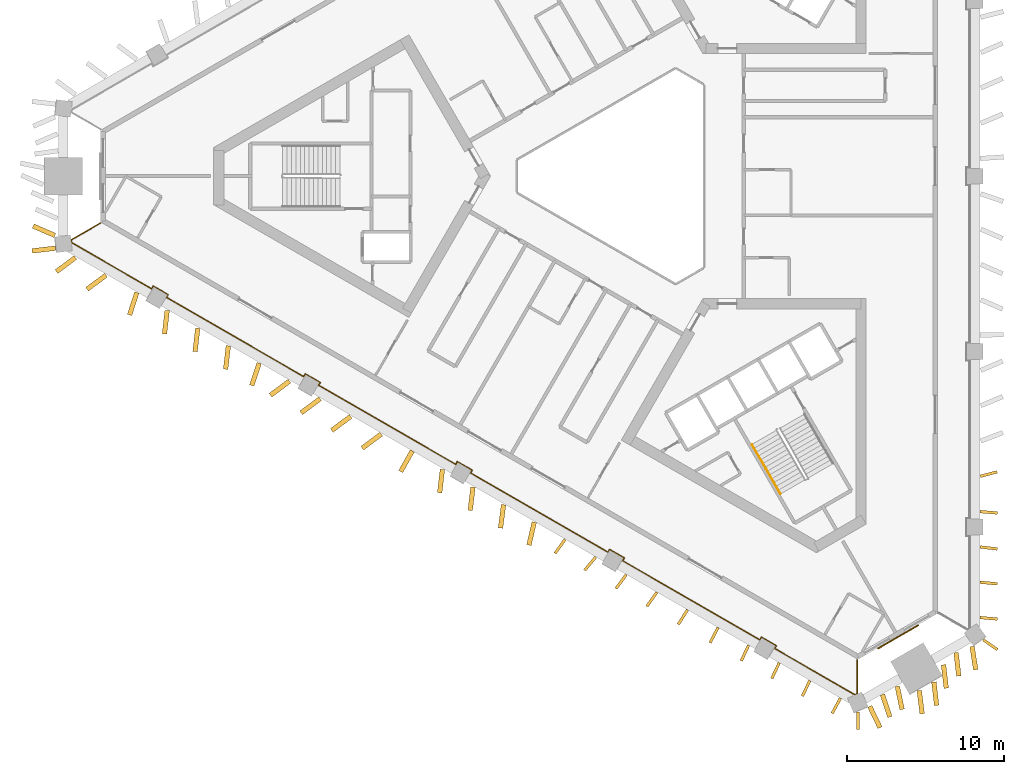
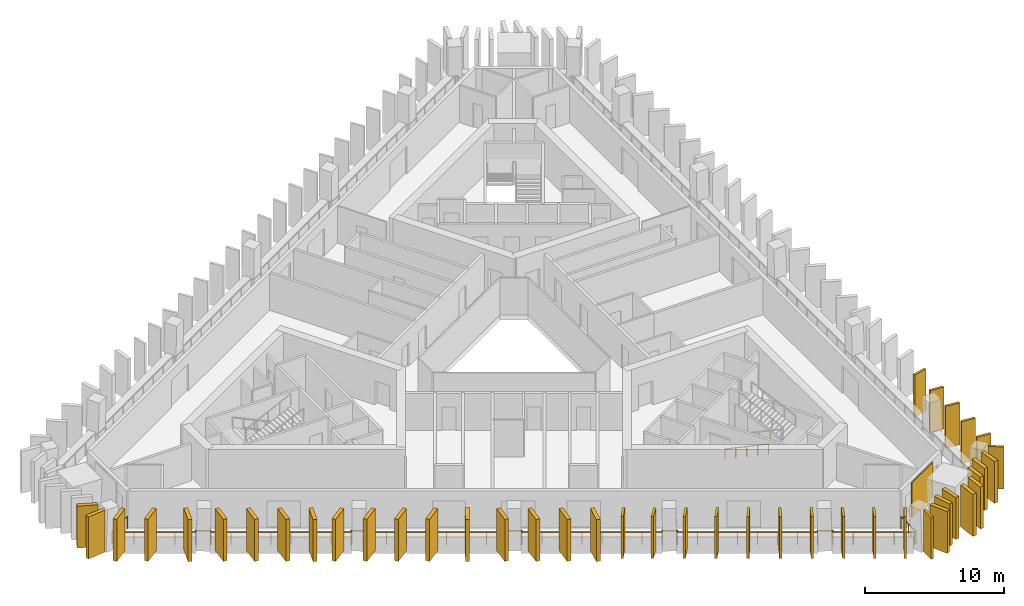
# One storey, part 7 of 10: 43 shading devices, 2 railings, 1 covering.
"""IFC4 building model written with IfcOpenShell, lengths in metres."""

from ifc_helpers import new_model, si_unit, direction, frame, frame_2d, origin, origin_2d, place, context, subcontext, project, spatial, rectangle, circle, extrude, material, layer, layer_set, type_object, element, save


model = new_model("IFC4")

# Units and contexts
model_context = context("Model", 3, precision=1e-05, world=origin(), true_north=direction((0.0, 1.0)))
body_context = subcontext(model_context, "Body", "Model", "MODEL_VIEW")
ifc_project = project(units=[si_unit("LENGTHUNIT", "METRE"), si_unit("AREAUNIT", "SQUARE_METRE"), si_unit("VOLUMEUNIT", "CUBIC_METRE"), si_unit("PLANEANGLEUNIT", "RADIAN"), si_unit("MASSUNIT", "GRAM", prefix="KILO")], contexts=[model_context])

# Site, building, storey
site_placement = place(None, origin())
site = spatial("IfcSite", under=ifc_project, at=site_placement, CompositionType="ELEMENT")
building_placement = place(site_placement, origin())
building = spatial("IfcBuilding", under=site, at=building_placement, Name="Jabali Bay Hotel Tower and Convention Centre", CompositionType="ELEMENT")
storey_placement = place(building_placement, frame((0.0, 0.0, 140.10009765625)))
storey = spatial("IfcBuildingStorey", under=building, at=storey_placement, Name="L34", CompositionType="ELEMENT", Elevation=140.10009765625)

# Railing
ifc_material_1 = material(Name="Glass", Category="glass")
railing_type_1 = type_object("IfcRailingType", Name="Loggia glass guard 1100", PredefinedType="BALUSTRADE", material=ifc_material_1)
railing_1_placement = place(storey_placement, frame((89.315185546875, 49.244873046875, 0.0)))
element("IfcRailing", 1, at=railing_1_placement, inside=storey, type_object=railing_type_1, Name="Loggia glass guard L34", PredefinedType="BALUSTRADE", context=body_context, shape_type="SweptSolid", body=[
    extrude(circle(Radius=0.02490234375, at=origin_2d()), frame((0.0, 0.0, 1.0751953125), z_axis=(0.0, -1.0, 0.0), x_axis=(0.991444861374, 0.0, 0.13052619222)), (0.0, 0.0, 1.0), 2.16552734375),
    extrude(circle(Radius=0.02490234375, at=origin_2d()), frame((0.0, -2.16552734375, 1.0751953125), z_axis=(-0.919226147347, -0.393729970962, 0.0), x_axis=(0.39036155648, -0.911362040227, 0.13052619222)), (0.0, 0.0, 1.0), 0.155517578125),
    extrude(circle(Radius=0.02490234375, at=origin_2d()), frame((-0.14306640625, -2.226806640625, 1.0751953125), z_axis=(-0.866035612436, 0.49998231768, 0.0), x_axis=(-0.495704899641, -0.858626557717, 0.13052619222)), (0.0, 0.0, 1.0), 5.882568359375),
    extrude(circle(Radius=0.02490234375, at=origin_2d()), frame((-5.237548828125, 0.71435546875, 1.0751953125), z_axis=(0.499158860599, 0.866510491504, 0.0), x_axis=(-0.859097374128, 0.49488848735, 0.13052619222)), (0.0, 0.0, 1.0), 0.199951171875),
    extrude(circle(Radius=0.02490234375, at=origin_2d()), frame((-5.1376953125, 0.8876953125, 1.0751953125), z_axis=(-0.866008176907, 0.50002983664, 0.0), x_axis=(-0.495752012071, -0.858599356902, 0.13052619222)), (0.0, 0.0, 1.0), 1.10009765625),
    extrude(circle(Radius=0.02490234375, at=origin_2d()), frame((-6.09033203125, 1.437744140625, 1.0751953125), z_axis=(-0.499158860599, -0.866510491504, 0.0), x_axis=(0.859097374128, -0.49488848735, 0.13052619222)), (0.0, 0.0, 1.0), 0.199951171875),
    extrude(circle(Radius=0.02490234375, at=origin_2d()), frame((-6.190185546875, 1.264404296875, 1.0751953125), z_axis=(-0.866024024936, 0.500002388228, 0.0), x_axis=(-0.495724798483, -0.858615069349, 0.13052619222)), (0.0, 0.0, 1.0), 10.06591796875),
    extrude(circle(Radius=0.02490234375, at=origin_2d()), frame((-14.907470703125, 6.29736328125, 1.0751953125), z_axis=(0.499158860599, 0.866510491504, 0.0), x_axis=(-0.859097374128, 0.49488848735, 0.13052619222)), (0.0, 0.0, 1.0), 0.199951171875),
    extrude(circle(Radius=0.02490234375, at=origin_2d()), frame((-14.8076171875, 6.470703125, 1.0751953125), z_axis=(-0.866104278045, 0.499863360881, 0.0), x_axis=(-0.495586960535, -0.858694635882, 0.13052619222)), (0.0, 0.0, 1.0), 1.099853515625),
    extrude(circle(Radius=0.02490234375, at=origin_2d()), frame((-15.76025390625, 7.0205078125, 1.0751953125), z_axis=(-0.499687197852, -0.866205924883, 0.0), x_axis=(0.858795413117, -0.495412304605, 0.13052619222)), (0.0, 0.0, 1.0), 0.199951171875),
    extrude(circle(Radius=0.02490234375, at=origin_2d()), frame((-15.860107421875, 6.847412109375, 1.0751953125), z_axis=(-0.866024024936, 0.500002388228, 0.0), x_axis=(-0.495724798483, -0.858615069349, 0.13052619222)), (0.0, 0.0, 1.0), 10.06591796875),
    extrude(circle(Radius=0.02490234375, at=origin_2d()), frame((-24.577392578125, 11.88037109375, 1.0751953125), z_axis=(0.499687197852, 0.866205924883, 0.0), x_axis=(-0.858795413117, 0.495412304605, 0.13052619222)), (0.0, 0.0, 1.0), 0.199951171875),
    extrude(circle(Radius=0.02490234375, at=origin_2d()), frame((-24.4775390625, 12.053466796875, 1.0751953125), z_axis=(-0.866008176907, 0.50002983664, 0.0), x_axis=(-0.495752012071, -0.858599356902, 0.13052619222)), (0.0, 0.0, 1.0), 1.10009765625),
    extrude(circle(Radius=0.02490234375, at=origin_2d()), frame((-25.43017578125, 12.603515625, 1.0751953125), z_axis=(-0.499687197852, -0.866205924883, 0.0), x_axis=(0.858795413117, -0.495412304605, 0.13052619222)), (0.0, 0.0, 1.0), 0.199951171875),
    extrude(circle(Radius=0.02490234375, at=origin_2d()), frame((-25.530029296875, 12.430419921875, 1.0751953125), z_axis=(-0.866024024936, 0.500002388228, 0.0), x_axis=(-0.495724798483, -0.858615069349, 0.13052619222)), (0.0, 0.0, 1.0), 10.06591796875),
    extrude(circle(Radius=0.02490234375, at=origin_2d()), frame((-34.247314453125, 17.46337890625, 1.0751953125), z_axis=(0.499687197852, 0.866205924883, 0.0), x_axis=(-0.858795413117, 0.495412304605, 0.13052619222)), (0.0, 0.0, 1.0), 0.199951171875),
    extrude(circle(Radius=0.02490234375, at=origin_2d()), frame((-34.1474609375, 17.636474609375, 1.0751953125), z_axis=(-0.866008176907, 0.50002983664, 0.0), x_axis=(-0.495752012071, -0.858599356902, 0.13052619222)), (0.0, 0.0, 1.0), 1.10009765625),
    extrude(circle(Radius=0.02490234375, at=origin_2d()), frame((-35.10009765625, 18.1865234375, 1.0751953125), z_axis=(-0.499158860599, -0.866510491504, 0.0), x_axis=(0.859097374128, -0.49488848735, 0.13052619222)), (0.0, 0.0, 1.0), 0.199951171875),
    extrude(circle(Radius=0.02490234375, at=origin_2d()), frame((-35.199951171875, 18.01318359375, 1.0751953125), z_axis=(-0.866024024936, 0.500002388228, 0.0), x_axis=(-0.495724798483, -0.858615069349, 0.13052619222)), (0.0, 0.0, 1.0), 10.06591796875),
    extrude(circle(Radius=0.02490234375, at=origin_2d()), frame((-43.917236328125, 23.046142578125, 1.0751953125), z_axis=(0.499158860599, 0.866510491504, 0.0), x_axis=(-0.859097374128, 0.49488848735, 0.13052619222)), (0.0, 0.0, 1.0), 0.199951171875),
    extrude(circle(Radius=0.02490234375, at=origin_2d()), frame((-43.8173828125, 23.219482421875, 1.0751953125), z_axis=(-0.866104278045, 0.499863360881, 0.0), x_axis=(-0.495586960535, -0.858694635882, 0.13052619222)), (0.0, 0.0, 1.0), 1.099853515625),
    extrude(circle(Radius=0.02490234375, at=origin_2d()), frame((-44.77001953125, 23.769287109375, 1.0751953125), z_axis=(-0.499687197852, -0.866205924883, 0.0), x_axis=(0.858795413117, -0.495412304605, 0.13052619222)), (0.0, 0.0, 1.0), 0.199951171875),
    extrude(circle(Radius=0.02490234375, at=origin_2d()), frame((-44.869873046875, 23.59619140625, 1.0751953125), z_axis=(-0.866017641503, 0.500013444425, 0.0), x_axis=(-0.495735760093, -0.858608740527, 0.13052619222)), (0.0, 0.0, 1.0), 5.882568359375),
    extrude(circle(Radius=0.02490234375, at=origin_2d()), frame((-49.96435546875, 26.53759765625, 1.0751953125), z_axis=(-0.119207070312, 0.99286941457, 0.0), x_axis=(-0.98437527909, -0.1181872373, 0.13052619222)), (0.0, 0.0, 1.0), 0.15576171875),
    extrude(circle(Radius=0.02490234375, at=origin_2d()), frame((-49.98291015625, 26.692138671875, 1.0751953125), z_axis=(0.866007213464, 0.500031505235, 0.0), x_axis=(-0.495753666391, 0.858598401702, 0.13052619222)), (0.0, 0.0, 1.0), 2.165283203125),
    extrude(circle(Radius=0.02001953125, at=origin_2d()), origin(), (0.0, 0.0, 1.0), 1.050048828125),
    extrude(circle(Radius=0.02001953125, at=origin_2d()), frame((0.0, -1.082763671875, 0.0)), (0.0, 0.0, 1.0), 1.050048828125),
    extrude(circle(Radius=0.02001953125, at=origin_2d()), frame((0.0, -2.16552734375, 0.0)), (0.0, 0.0, 1.0), 1.050048828125),
    extrude(circle(Radius=0.02001953125, at=origin_2d()), frame((-0.14306640625, -2.226806640625, 0.0)), (0.0, 0.0, 1.0), 1.050048828125),
    extrude(circle(Radius=0.02001953125, at=origin_2d()), frame((-1.416748046875, -1.491455078125, 0.0)), (0.0, 0.0, 1.0), 1.050048828125),
    extrude(circle(Radius=0.02001953125, at=origin_2d()), frame((-2.6904296875, -0.75634765625, 0.0)), (0.0, 0.0, 1.0), 1.050048828125),
    extrude(circle(Radius=0.02001953125, at=origin_2d()), frame((-3.9638671875, -0.02099609375, 0.0)), (0.0, 0.0, 1.0), 1.050048828125),
    extrude(circle(Radius=0.02001953125, at=origin_2d()), frame((-5.237548828125, 0.71435546875, 0.0)), (0.0, 0.0, 1.0), 1.050048828125),
    extrude(circle(Radius=0.02001953125, at=origin_2d()), frame((-5.1376953125, 0.8876953125, 0.0)), (0.0, 0.0, 1.0), 1.050048828125),
    extrude(circle(Radius=0.02001953125, at=origin_2d()), frame((-6.09033203125, 1.437744140625, 0.0)), (0.0, 0.0, 1.0), 1.050048828125),
    extrude(circle(Radius=0.02001953125, at=origin_2d()), frame((-6.190185546875, 1.264404296875, 0.0)), (0.0, 0.0, 1.0), 1.050048828125),
    extrude(circle(Radius=0.02001953125, at=origin_2d()), frame((-7.435546875, 1.9833984375, 0.0)), (0.0, 0.0, 1.0), 1.050048828125),
    extrude(circle(Radius=0.02001953125, at=origin_2d()), frame((-8.680908203125, 2.702392578125, 0.0)), (0.0, 0.0, 1.0), 1.050048828125),
    extrude(circle(Radius=0.02001953125, at=origin_2d()), frame((-9.92626953125, 3.42138671875, 0.0)), (0.0, 0.0, 1.0), 1.050048828125),
    extrude(circle(Radius=0.02001953125, at=origin_2d()), frame((-11.17138671875, 4.140380859375, 0.0)), (0.0, 0.0, 1.0), 1.050048828125),
    extrude(circle(Radius=0.02001953125, at=origin_2d()), frame((-12.416748046875, 4.859375, 0.0)), (0.0, 0.0, 1.0), 1.050048828125),
    extrude(circle(Radius=0.02001953125, at=origin_2d()), frame((-13.662109375, 5.578369140625, 0.0)), (0.0, 0.0, 1.0), 1.050048828125),
    extrude(circle(Radius=0.02001953125, at=origin_2d()), frame((-14.907470703125, 6.29736328125, 0.0)), (0.0, 0.0, 1.0), 1.050048828125),
    extrude(circle(Radius=0.02001953125, at=origin_2d()), frame((-14.8076171875, 6.470703125, 0.0)), (0.0, 0.0, 1.0), 1.050048828125),
    extrude(circle(Radius=0.02001953125, at=origin_2d()), frame((-15.76025390625, 7.0205078125, 0.0)), (0.0, 0.0, 1.0), 1.050048828125),
    extrude(circle(Radius=0.02001953125, at=origin_2d()), frame((-15.860107421875, 6.847412109375, 0.0)), (0.0, 0.0, 1.0), 1.050048828125),
    extrude(circle(Radius=0.02001953125, at=origin_2d()), frame((-17.10546875, 7.56640625, 0.0)), (0.0, 0.0, 1.0), 1.050048828125),
    extrude(circle(Radius=0.02001953125, at=origin_2d()), frame((-18.350830078125, 8.285400390625, 0.0)), (0.0, 0.0, 1.0), 1.050048828125),
    extrude(circle(Radius=0.02001953125, at=origin_2d()), frame((-19.59619140625, 9.00439453125, 0.0)), (0.0, 0.0, 1.0), 1.050048828125),
    extrude(circle(Radius=0.02001953125, at=origin_2d()), frame((-20.84130859375, 9.723388671875, 0.0)), (0.0, 0.0, 1.0), 1.050048828125),
    extrude(circle(Radius=0.02001953125, at=origin_2d()), frame((-22.086669921875, 10.4423828125, 0.0)), (0.0, 0.0, 1.0), 1.050048828125),
    extrude(circle(Radius=0.02001953125, at=origin_2d()), frame((-23.33203125, 11.161376953125, 0.0)), (0.0, 0.0, 1.0), 1.050048828125),
    extrude(circle(Radius=0.02001953125, at=origin_2d()), frame((-24.577392578125, 11.88037109375, 0.0)), (0.0, 0.0, 1.0), 1.050048828125),
    extrude(circle(Radius=0.02001953125, at=origin_2d()), frame((-24.4775390625, 12.053466796875, 0.0)), (0.0, 0.0, 1.0), 1.050048828125),
    extrude(circle(Radius=0.02001953125, at=origin_2d()), frame((-25.43017578125, 12.603515625, 0.0)), (0.0, 0.0, 1.0), 1.050048828125),
    extrude(circle(Radius=0.02001953125, at=origin_2d()), frame((-25.530029296875, 12.430419921875, 0.0)), (0.0, 0.0, 1.0), 1.050048828125),
    extrude(circle(Radius=0.02001953125, at=origin_2d()), frame((-26.775390625, 13.1494140625, 0.0)), (0.0, 0.0, 1.0), 1.050048828125),
    extrude(circle(Radius=0.02001953125, at=origin_2d()), frame((-28.020751953125, 13.868408203125, 0.0)), (0.0, 0.0, 1.0), 1.050048828125),
    extrude(circle(Radius=0.02001953125, at=origin_2d()), frame((-29.26611328125, 14.58740234375, 0.0)), (0.0, 0.0, 1.0), 1.050048828125),
    extrude(circle(Radius=0.02001953125, at=origin_2d()), frame((-30.51123046875, 15.306396484375, 0.0)), (0.0, 0.0, 1.0), 1.050048828125),
    extrude(circle(Radius=0.02001953125, at=origin_2d()), frame((-31.756591796875, 16.025390625, 0.0)), (0.0, 0.0, 1.0), 1.050048828125),
    extrude(circle(Radius=0.02001953125, at=origin_2d()), frame((-33.001953125, 16.744384765625, 0.0)), (0.0, 0.0, 1.0), 1.050048828125),
    extrude(circle(Radius=0.02001953125, at=origin_2d()), frame((-34.247314453125, 17.46337890625, 0.0)), (0.0, 0.0, 1.0), 1.050048828125),
    extrude(circle(Radius=0.02001953125, at=origin_2d()), frame((-34.1474609375, 17.636474609375, 0.0)), (0.0, 0.0, 1.0), 1.050048828125),
    extrude(circle(Radius=0.02001953125, at=origin_2d()), frame((-35.10009765625, 18.1865234375, 0.0)), (0.0, 0.0, 1.0), 1.050048828125),
    extrude(circle(Radius=0.02001953125, at=origin_2d()), frame((-35.199951171875, 18.01318359375, 0.0)), (0.0, 0.0, 1.0), 1.050048828125),
    extrude(circle(Radius=0.02001953125, at=origin_2d()), frame((-36.4453125, 18.732177734375, 0.0)), (0.0, 0.0, 1.0), 1.050048828125),
    extrude(circle(Radius=0.02001953125, at=origin_2d()), frame((-37.690673828125, 19.451171875, 0.0)), (0.0, 0.0, 1.0), 1.050048828125),
    extrude(circle(Radius=0.02001953125, at=origin_2d()), frame((-38.93603515625, 20.170166015625, 0.0)), (0.0, 0.0, 1.0), 1.050048828125),
    extrude(circle(Radius=0.02001953125, at=origin_2d()), frame((-40.18115234375, 20.88916015625, 0.0)), (0.0, 0.0, 1.0), 1.050048828125),
    extrude(circle(Radius=0.02001953125, at=origin_2d()), frame((-41.426513671875, 21.608154296875, 0.0)), (0.0, 0.0, 1.0), 1.050048828125),
    extrude(circle(Radius=0.02001953125, at=origin_2d()), frame((-42.671875, 22.3271484375, 0.0)), (0.0, 0.0, 1.0), 1.050048828125),
    extrude(circle(Radius=0.02001953125, at=origin_2d()), frame((-43.917236328125, 23.046142578125, 0.0)), (0.0, 0.0, 1.0), 1.050048828125),
    extrude(circle(Radius=0.02001953125, at=origin_2d()), frame((-43.8173828125, 23.219482421875, 0.0)), (0.0, 0.0, 1.0), 1.050048828125),
    extrude(circle(Radius=0.02001953125, at=origin_2d()), frame((-44.77001953125, 23.769287109375, 0.0)), (0.0, 0.0, 1.0), 1.050048828125),
    extrude(circle(Radius=0.02001953125, at=origin_2d()), frame((-44.869873046875, 23.59619140625, 0.0)), (0.0, 0.0, 1.0), 1.050048828125),
    extrude(circle(Radius=0.02001953125, at=origin_2d()), frame((-46.1435546875, 24.33154296875, 0.0)), (0.0, 0.0, 1.0), 1.050048828125),
    extrude(circle(Radius=0.02001953125, at=origin_2d()), frame((-47.4169921875, 25.06689453125, 0.0)), (0.0, 0.0, 1.0), 1.050048828125),
    extrude(circle(Radius=0.02001953125, at=origin_2d()), frame((-48.690673828125, 25.80224609375, 0.0)), (0.0, 0.0, 1.0), 1.050048828125),
    extrude(circle(Radius=0.02001953125, at=origin_2d()), frame((-49.96435546875, 26.53759765625, 0.0)), (0.0, 0.0, 1.0), 1.050048828125),
    extrude(circle(Radius=0.02001953125, at=origin_2d()), frame((-49.98291015625, 26.692138671875, 0.0)), (0.0, 0.0, 1.0), 1.050048828125),
    extrude(circle(Radius=0.02001953125, at=origin_2d()), frame((-49.04541015625, 27.2333984375, 0.0)), (0.0, 0.0, 1.0), 1.050048828125),
    extrude(circle(Radius=0.02001953125, at=origin_2d()), frame((-48.107666015625, 27.77490234375, 0.0)), (0.0, 0.0, 1.0), 1.050048828125),
])

# Shading devices
ifc_material_2 = material(Name="Precast concrete C60", Category="concrete")
ifc_layer_1 = layer(ifc_material_2, 0.179931640625)
ifc_layer_set_1 = layer_set([ifc_layer_1], Name="Precast concrete C60")
shading_device_type_1 = type_object("IfcShadingDeviceType", Name="Precast fin 3680 x 1100", PredefinedType="USERDEFINED", material=ifc_layer_set_1)
shading_device_1_placement = place(storey_placement, frame((97.12744140625, 51.933349609375, 0.010009765625), z_axis=(0.0, 0.0, 1.0), x_axis=(0.996228086666, -0.086773263953, 0.0)))
element("IfcShadingDevice", 2, at=shading_device_1_placement, inside=storey, type_object=shading_device_type_1, Name="Fin L34 000", ObjectType="FIN", PredefinedType="USERDEFINED", context=body_context, shape_type="SweptSolid", body=[
    extrude(rectangle(XDim=1.10009765625, YDim=0.179931640625, at=frame_2d((0.550048828125, 0.0))), origin(), (0.0, 0.0, 1.0), 3.679931640625),
])
shading_device_2_placement = place(storey_placement, frame((97.128173828125, 54.178466796875, 0.010009765625), z_axis=(0.0, 0.0, 1.0), x_axis=(0.995519383296, -0.094557693932, 0.0)))
element("IfcShadingDevice", 3, at=shading_device_2_placement, inside=storey, type_object=shading_device_type_1, Name="Fin L34 001", ObjectType="FIN", PredefinedType="USERDEFINED", context=body_context, shape_type="SweptSolid", body=[
    extrude(rectangle(XDim=1.099853515625, YDim=0.179931640625, at=frame_2d((0.5498046875, 0.0))), origin(), (0.0, 0.0, 1.0), 3.679931640625),
])
shading_device_3_placement = place(storey_placement, frame((97.130126953125, 56.423828125, 0.010009765625), z_axis=(0.0, 0.0, 1.0), x_axis=(0.993033475838, -0.117832575569, 0.0)))
element("IfcShadingDevice", 4, at=shading_device_3_placement, inside=storey, type_object=shading_device_type_1, Name="Fin L34 002", ObjectType="FIN", PredefinedType="USERDEFINED", context=body_context, shape_type="SweptSolid", body=[
    extrude(rectangle(XDim=1.10009765625, YDim=0.179931640625, at=frame_2d((0.550048828125, 0.0))), origin(), (0.0, 0.0, 1.0), 3.679931640625),
])
shading_device_4_placement = place(storey_placement, frame((97.126953125, 58.669189453125, 0.010009765625), z_axis=(0.0, 0.0, 1.0), x_axis=(0.99678486003, -0.08012454564, 0.0)))
element("IfcShadingDevice", 5, at=shading_device_4_placement, inside=storey, type_object=shading_device_type_1, Name="Fin L34 003", ObjectType="FIN", PredefinedType="USERDEFINED", context=body_context, shape_type="SweptSolid", body=[
    extrude(rectangle(XDim=1.099853515625, YDim=0.179931640625, at=frame_2d((0.5498046875, 0.0))), origin(), (0.0, 0.0, 1.0), 3.679931640625),
])
for number, where, z_axis, x_axis, name in (
    (6, (97.142578125, 60.91455078125, 0.010009765625), (0.0, 0.0, 1.0), (0.966996870433, 0.254788250461, 0.0), "Fin L34 004"),
    (7, (70.74169921875, 56.906982421875, 0.010009765625), (0.0, 0.0, 1.0), (-0.582496950401, -0.81283288736, 0.0), "Fin L34 084"),
    (8, (72.682861328125, 55.77880859375, 0.010009765625), (0.0, 0.0, 1.0), (-0.638720670338, -0.769438694948, 0.0), "Fin L34 085"),
    (9, (74.6298828125, 54.660400390625, 0.010009765625), (0.0, 0.0, 1.0), (-0.595195706564, -0.803580780562, 0.0), "Fin L34 086"),
    (10, (76.575439453125, 53.539306640625, 0.010009765625), (0.0, 0.0, 1.0), (-0.578589872988, -0.815618635685, 0.0), "Fin L34 087"),
    (11, (78.522216796875, 52.420654296875, 0.010009765625), (0.0, 0.0, 1.0), (-0.535711866639, -0.844400850273, 0.0), "Fin L34 088"),
    (12, (80.466796875, 51.298095703125, 0.010009765625), (0.0, 0.0, 1.0), (-0.465847047958, -0.884865259748, 0.0), "Fin L34 089"),
    (13, (82.409423828125, 50.172119140625, 0.010009765625), (0.0, 0.0, 1.0), (-0.426587845489, -0.904446134427, 0.0), "Fin L34 090"),
):
    element("IfcShadingDevice", number, at=place(storey_placement, frame(where, z_axis=z_axis, x_axis=x_axis)), inside=storey, type_object=shading_device_type_1, Name=name, ObjectType="FIN", PredefinedType="USERDEFINED", context=body_context, shape_type="SweptSolid", body=[
        extrude(rectangle(XDim=1.10009765625, YDim=0.179931640625, at=frame_2d((0.550048828125, 0.0))), origin(), (0.0, 0.0, 1.0), 3.679931640625),
    ])
shading_device_5_placement = place(storey_placement, frame((84.35400390625, 49.04931640625, 0.010009765625), z_axis=(0.0, 0.0, 1.0), x_axis=(-0.427036552319, -0.904234362863, 0.0)))
element("IfcShadingDevice", 14, at=shading_device_5_placement, inside=storey, type_object=shading_device_type_1, Name="Fin L34 091", ObjectType="FIN", PredefinedType="USERDEFINED", context=body_context, shape_type="SweptSolid", body=[
    extrude(rectangle(XDim=1.099853515625, YDim=0.179931640625, at=frame_2d((0.5498046875, 0.0))), origin(), (0.0, 0.0, 1.0), 3.679931640625),
])
shading_device_6_placement = place(storey_placement, frame((86.298583984375, 47.9267578125, 0.010009765625), z_axis=(0.0, 0.0, 1.0), x_axis=(-0.427218003687, -0.904148647804, 0.0)))
element("IfcShadingDevice", 15, at=shading_device_6_placement, inside=storey, type_object=shading_device_type_1, Name="Fin L34 092", ObjectType="FIN", PredefinedType="USERDEFINED", context=body_context, shape_type="SweptSolid", body=[
    extrude(rectangle(XDim=1.10009765625, YDim=0.179931640625, at=frame_2d((0.550048828125, 0.0))), origin(), (0.0, 0.0, 1.0), 3.679931640625),
])
shading_device_7_placement = place(storey_placement, frame((88.245361328125, 46.80810546875, 0.010009765625), z_axis=(0.0, 0.0, 1.0), x_axis=(-0.473649744371, -0.880713301624, 0.0)))
element("IfcShadingDevice", 16, at=shading_device_7_placement, inside=storey, type_object=shading_device_type_1, Name="Fin L34 093", ObjectType="FIN", PredefinedType="USERDEFINED", context=body_context, shape_type="SweptSolid", body=[
    extrude(rectangle(XDim=1.099853515625, YDim=0.179931640625, at=frame_2d((0.5498046875, 0.0))), origin(), (0.0, 0.0, 1.0), 3.679931640625),
])
for number, where, z_axis, x_axis, name in (
    (17, (97.32470703125, 50.5234375, 0.010009765625), (0.0, 0.0, 1.0), (0.820470719081, -0.571688550812, 0.0), "Fin L34 102"),
    (18, (89.365234375, 45.920166015625, 0.010009765625), (0.0, 0.0, 1.0), (-0.000665778814, -0.999999778369, 0.0), "Fin L34 107"),
):
    element("IfcShadingDevice", number, at=place(storey_placement, frame(where, z_axis=z_axis, x_axis=x_axis)), inside=storey, type_object=shading_device_type_1, Name=name, ObjectType="FIN", PredefinedType="USERDEFINED", context=body_context, shape_type="SweptSolid", body=[
        extrude(rectangle(XDim=1.10009765625, YDim=0.179931640625, at=frame_2d((0.550048828125, 0.0))), origin(), (0.0, 0.0, 1.0), 3.679931640625),
    ])
ifc_layer_2 = layer(ifc_material_2, 0.300048828125)
ifc_layer_set_2 = layer_set([ifc_layer_2], Name="Precast concrete C60")
shading_device_type_2 = type_object("IfcShadingDeviceType", Name="Precast fin 3680 x 1500", PredefinedType="USERDEFINED", material=ifc_layer_set_2)
shading_device_8_placement = place(storey_placement, frame((38.296142578125, 76.230224609375, 0.010009765625), z_axis=(0.0, 0.0, 1.0), x_axis=(-0.917682260148, 0.39731507574, 0.0)))
element("IfcShadingDevice", 19, at=shading_device_8_placement, inside=storey, type_object=shading_device_type_2, Name="Fin L34 067", ObjectType="FIN", PredefinedType="USERDEFINED", context=body_context, shape_type="SweptSolid", body=[
    extrude(rectangle(XDim=1.5, YDim=0.300048828125, at=frame_2d((0.75, 0.0))), origin(), (0.0, 0.0, 1.0), 3.679931640625),
])
shading_device_9_placement = place(storey_placement, frame((39.603759765625, 74.82568359375, 0.010009765625), z_axis=(0.0, 0.0, 1.0), x_axis=(-0.802803953143, -0.596243081988, 0.0)))
element("IfcShadingDevice", 20, at=shading_device_9_placement, inside=storey, type_object=shading_device_type_2, Name="Fin L34 068", ObjectType="FIN", PredefinedType="USERDEFINED", context=body_context, shape_type="SweptSolid", body=[
    extrude(rectangle(XDim=1.499755859375, YDim=0.300048828125, at=frame_2d((0.75, 0.0))), origin(), (0.0, 0.0, 1.0), 3.679931640625),
])
for number, where, z_axis, x_axis, name in (
    (21, (41.54833984375, 73.702880859375, 0.010009765625), (0.0, 0.0, 1.0), (-0.802939709728, -0.596060250765, 0.0), "Fin L34 069"),
    (22, (43.5068359375, 72.6044921875, 0.010009765625), (0.0, 0.0, 1.0), (-0.306003911616, -0.952030254811, 0.0), "Fin L34 070"),
    (23, (45.4375, 71.45751953125, 0.010009765625), (0.0, 0.0, 1.0), (-0.114914472364, -0.993375389287, 0.0), "Fin L34 071"),
    (24, (47.382080078125, 70.3349609375, 0.010009765625), (0.0, 0.0, 1.0), (-0.114914472364, -0.993375389287, 0.0), "Fin L34 072"),
):
    element("IfcShadingDevice", number, at=place(storey_placement, frame(where, z_axis=z_axis, x_axis=x_axis)), inside=storey, type_object=shading_device_type_2, Name=name, ObjectType="FIN", PredefinedType="USERDEFINED", context=body_context, shape_type="SweptSolid", body=[
        extrude(rectangle(XDim=1.5, YDim=0.300048828125, at=frame_2d((0.75, 0.0))), origin(), (0.0, 0.0, 1.0), 3.679931640625),
    ])
shading_device_10_placement = place(storey_placement, frame((49.326416015625, 69.21240234375, 0.010009765625), z_axis=(0.0, 0.0, 1.0), x_axis=(-0.114735296621, -0.993396100108, 0.0)))
element("IfcShadingDevice", 25, at=shading_device_10_placement, inside=storey, type_object=shading_device_type_2, Name="Fin L34 073", ObjectType="FIN", PredefinedType="USERDEFINED", context=body_context, shape_type="SweptSolid", body=[
    extrude(rectangle(XDim=1.500244140625, YDim=0.300048828125, at=frame_2d((0.75, 0.0))), origin(), (0.0, 0.0, 1.0), 3.679931640625),
])
shading_device_11_placement = place(storey_placement, frame((51.285400390625, 68.114501953125, 0.010009765625), z_axis=(0.0, 0.0, 1.0), x_axis=(-0.311878335096, -0.950122046949, 0.0)))
element("IfcShadingDevice", 26, at=shading_device_11_placement, inside=storey, type_object=shading_device_type_2, Name="Fin L34 074", ObjectType="FIN", PredefinedType="USERDEFINED", context=body_context, shape_type="SweptSolid", body=[
    extrude(rectangle(XDim=1.499755859375, YDim=0.300048828125, at=frame_2d((0.75, 0.0))), origin(), (0.0, 0.0, 1.0), 3.679931640625),
])
for number, where, z_axis, x_axis, name in (
    (27, (53.215576171875, 66.967041015625, 0.010009765625), (0.0, 0.0, 1.0), (-0.802861809091, -0.596165174681, 0.0), "Fin L34 075"),
    (28, (55.16015625, 65.84423828125, 0.010009765625), (0.0, 0.0, 1.0), (-0.802939709728, -0.596060250765, 0.0), "Fin L34 076"),
    (29, (57.1044921875, 64.7216796875, 0.010009765625), (0.0, 0.0, 1.0), (-0.802861809091, -0.596165174681, 0.0), "Fin L34 077"),
    (30, (59.049072265625, 63.598876953125, 0.010009765625), (0.0, 0.0, 1.0), (-0.802861809091, -0.596165174681, 0.0), "Fin L34 078"),
    (31, (61.0224609375, 62.5263671875, 0.010009765625), (0.0, 0.0, 1.0), (-0.490431247076, -0.871479886108, 0.0), "Fin L34 079"),
    (32, (62.938232421875, 61.353759765625, 0.010009765625), (0.0, 0.0, 1.0), (-0.115717454272, -0.993282170774, 0.0), "Fin L34 080"),
    (33, (64.8828125, 60.2314453125, 0.010009765625), (0.0, 0.0, 1.0), (-0.118484170668, -0.992955941269, 0.0), "Fin L34 081"),
    (34, (66.828125, 59.110107421875, 0.010009765625), (0.0, 0.0, 1.0), (-0.129561849731, -0.991571342413, 0.0), "Fin L34 082"),
    (35, (68.77978515625, 57.99951171875, 0.010009765625), (0.0, 0.0, 1.0), (-0.227533164599, -0.973770331756, 0.0), "Fin L34 083"),
    (36, (90.113037109375, 46.2841796875, 0.010009765625), (0.0, 0.0, 1.0), (0.433947752339, -0.900938037958, 0.0), "Fin L34 094"),
    (37, (90.923095703125, 47.034912109375, 0.010009765625), (0.0, 0.0, 1.0), (0.31070492328, -0.950506417995, 0.0), "Fin L34 095"),
    (38, (91.864013671875, 47.5595703125, 0.010009765625), (0.0, 0.0, 1.0), (0.203466721206, -0.979081862441, 0.0), "Fin L34 096"),
    (39, (93.258544921875, 47.298095703125, 0.010009765625), (0.0, 0.0, 1.0), (0.123694192666, -0.992320385108, 0.0), "Fin L34 097"),
    (40, (94.19189453125, 47.83544921875, 0.010009765625), (0.0, 0.0, 1.0), (0.114914472364, -0.993375389287, 0.0), "Fin L34 098"),
):
    element("IfcShadingDevice", number, at=place(storey_placement, frame(where, z_axis=z_axis, x_axis=x_axis)), inside=storey, type_object=shading_device_type_2, Name=name, ObjectType="FIN", PredefinedType="USERDEFINED", context=body_context, shape_type="SweptSolid", body=[
        extrude(rectangle(XDim=1.5, YDim=0.300048828125, at=frame_2d((0.75, 0.0))), origin(), (0.0, 0.0, 1.0), 3.679931640625),
    ])
for number, where, z_axis, x_axis, name in (
    (41, (94.8037109375, 48.93017578125, 0.010009765625), (0.0, 0.0, 1.0), (0.114735296621, -0.993396100108, 0.0), "Fin L34 099"),
    (42, (95.601318359375, 49.702880859375, 0.010009765625), (0.0, 0.0, 1.0), (0.114735296621, -0.993396100108, 0.0), "Fin L34 100"),
):
    element("IfcShadingDevice", number, at=place(storey_placement, frame(where, z_axis=z_axis, x_axis=x_axis)), inside=storey, type_object=shading_device_type_2, Name=name, ObjectType="FIN", PredefinedType="USERDEFINED", context=body_context, shape_type="SweptSolid", body=[
        extrude(rectangle(XDim=1.500244140625, YDim=0.300048828125, at=frame_2d((0.75, 0.0))), origin(), (0.0, 0.0, 1.0), 3.679931640625),
    ])
for number, where, z_axis, x_axis, name in (
    (43, (96.618896484375, 50.09423828125, 0.010009765625), (0.0, 0.0, 1.0), (0.154783997898, -0.987948335691, 0.0), "Fin L34 101"),
    (44, (38.336181640625, 75.419677734375, 0.010009765625), (0.0, 0.0, 1.0), (-0.993393957181, -0.114753848896, 0.0), "Fin L34 106"),
):
    element("IfcShadingDevice", number, at=place(storey_placement, frame(where, z_axis=z_axis, x_axis=x_axis)), inside=storey, type_object=shading_device_type_2, Name=name, ObjectType="FIN", PredefinedType="USERDEFINED", context=body_context, shape_type="SweptSolid", body=[
        extrude(rectangle(XDim=1.5, YDim=0.300048828125, at=frame_2d((0.75, 0.0))), origin(), (0.0, 0.0, 1.0), 3.679931640625),
    ])

# Covering
ifc_material_3 = material(Name="Precast concrete C40/50", Category="concrete")
ifc_layer_3 = layer(ifc_material_3, 0.080078125)
ifc_layer_set_3 = layer_set([ifc_layer_3], Name="Precast concrete C40/50")
covering_type = type_object("IfcCoveringType", Name="Relief panel 3000 x 3050", PredefinedType="CLADDING", material=ifc_layer_set_3)
covering_placement = place(storey_placement, frame((91.916259765625, 50.7001953125, 0.10009765625), z_axis=(0.0, 0.0, 1.0), x_axis=(-0.866025368721, -0.500000060732, 0.0)))
element("IfcCovering", 45, at=covering_placement, inside=storey, type_object=covering_type, Name="Relief panel L34", PredefinedType="CLADDING", context=body_context, shape_type="SweptSolid", body=[
    extrude(rectangle(XDim=3.0, YDim=0.080078125, at=origin_2d()), origin(), (0.0, 0.0, 1.0), 3.050048828125),
])

# Railing
ifc_material_4 = material(Name="Steel Q355B", Category="steel")
railing_type_2 = type_object("IfcRailingType", Name="Stair handrail 900", PredefinedType="HANDRAIL", material=ifc_material_4)
railing_2_placement = place(storey_placement, frame((82.622802734375, 62.94677734375, 0.132080078125)))
element("IfcRailing", 46, at=railing_2_placement, inside=storey, type_object=railing_type_2, Name="L34 ST3 stair handrail 1", PredefinedType="HANDRAIL", context=body_context, shape_type="SweptSolid", body=[
    extrude(circle(Radius=0.02392578125, at=origin_2d()), frame((0.0, 0.0, 0.8759765625), z_axis=(0.452190331055, -0.783190014029, 0.426775475427), x_axis=(0.866018046521, 0.500012742938, 0.0)), (0.0, 0.0, 1.0), 4.02490234375),
    extrude(circle(Radius=0.02099609375, at=origin_2d()), origin(), (0.0, 0.0, 1.0), 0.851806640625),
    extrude(circle(Radius=0.02099609375, at=origin_2d()), frame((0.455078125, -0.7880859375, 0.429443359375)), (0.0, 0.0, 1.0), 0.851806640625),
    extrude(circle(Radius=0.02099609375, at=origin_2d()), frame((0.91015625, -1.576171875, 0.85888671875)), (0.0, 0.0, 1.0), 0.851806640625),
    extrude(circle(Radius=0.02099609375, at=origin_2d()), frame((1.364990234375, -2.3642578125, 1.288330078125)), (0.0, 0.0, 1.0), 0.851806640625),
    extrude(circle(Radius=0.02099609375, at=origin_2d()), frame((1.820068359375, -3.15234375, 1.7177734375)), (0.0, 0.0, 1.0), 0.851806640625),
])

save(model, "model.ifc")
